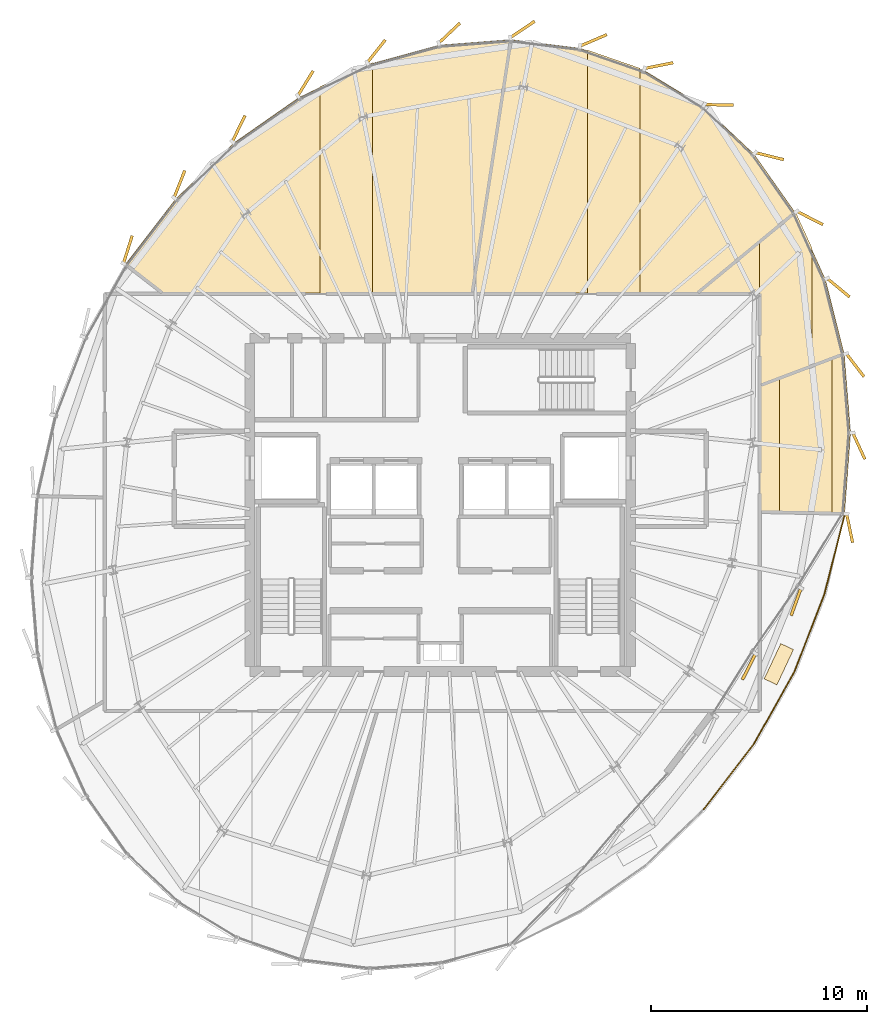
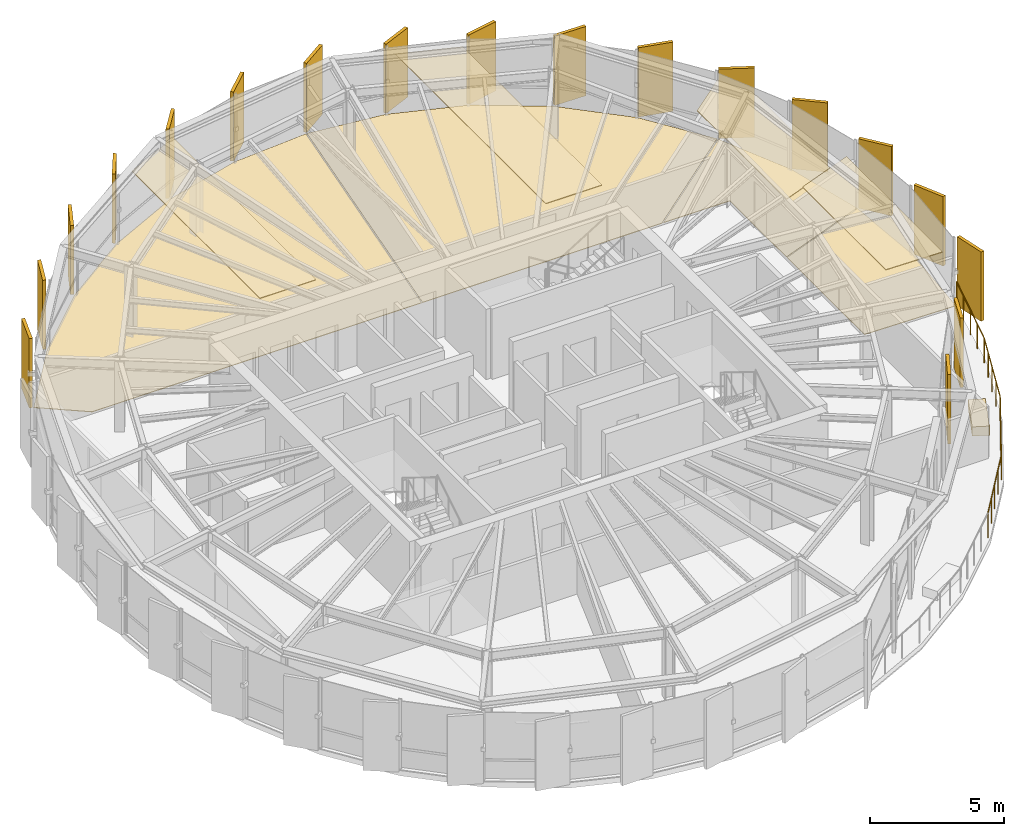
# One storey, part 30 of 30: 27 coverings, 4 railings.
"""IFC4 building model written with IfcOpenShell, lengths in metres."""

from ifc_helpers import new_model, si_unit, direction, frame, origin, origin_2d, place, context, subcontext, project, spatial, polyline, rectangle, circle, outline, extrude, source, transform, mapped, material, layer, layer_set, type_object, element, save


model = new_model("IFC4")

# Units and contexts
model_context = context("Model", 3, precision=1e-05, world=origin(), true_north=direction((0.0, 1.0)))
body_context = subcontext(model_context, "Body", "Model", "MODEL_VIEW")
ifc_project = project(units=[si_unit("LENGTHUNIT", "METRE"), si_unit("AREAUNIT", "SQUARE_METRE"), si_unit("VOLUMEUNIT", "CUBIC_METRE"), si_unit("PLANEANGLEUNIT", "RADIAN"), si_unit("MASSUNIT", "GRAM", prefix="KILO"), si_unit("THERMODYNAMICTEMPERATUREUNIT", "KELVIN")], contexts=[model_context])

# Site, building, storey
site_placement = place(None, origin())
site = spatial("IfcSite", under=ifc_project, at=site_placement, CompositionType="ELEMENT")
building_placement = place(site_placement, origin())
building = spatial("IfcBuilding", under=site, at=building_placement, Name="Kethvar Cultural Tower", CompositionType="ELEMENT")
storey_placement = place(building_placement, frame((0.0, 0.0, 293.949951171875)))
storey = spatial("IfcBuildingStorey", under=building, at=storey_placement, Name="L78", CompositionType="ELEMENT", Elevation=293.949951171875)

# Coverings
ifc_material_1 = material(Name="Acoustic Mineral Fibre Ceiling")
ifc_layer_1 = layer(ifc_material_1, 0.0400390625, Name="Acoustic Mineral Fibre Ceiling")
ifc_layer_set_1 = layer_set([ifc_layer_1], Name="Acoustic Mineral Fibre Ceiling (40 mm)")
covering_type_1 = type_object("IfcCoveringType", Name="CV-ACOUSTIC-CEIL", PredefinedType="CEILING", material=ifc_layer_set_1)
covering_1_placement = place(storey_placement, frame((0.0, 0.0, 2.670166015625)))
element("IfcCovering", 1, at=covering_1_placement, inside=storey, type_object=covering_type_1, Name="L78 Room 03 Acoustic Ceiling Panel", PredefinedType="CEILING", context=body_context, shape_type="SweptSolid", body=[
    extrude(outline(polyline([(62.47021484375, 27.435546875), (62.47021484375, 33.670166015625), (64.900146484375, 34.576904296875), (64.900146484375, 27.382080078125), (62.47021484375, 27.435546875)])), origin(), (0.0, 0.0, 1.0), 0.039794921875),
])
covering_2_placement = place(storey_placement, frame((0.0, 0.0, 2.670166015625)))
element("IfcCovering", 2, at=covering_2_placement, inside=storey, type_object=covering_type_1, Name="L78 Room 04 Acoustic Ceiling Panel", PredefinedType="CEILING", context=body_context, shape_type="SweptSolid", body=[
    extrude(outline(polyline([(61.571044921875, 33.291748046875), (61.55029296875, 39.972900390625), (63.219970703125, 41.338623046875), (63.980224609375, 39.67529296875), (63.980224609375, 34.19091796875), (61.571044921875, 33.291748046875)])), origin(), (0.0, 0.0, 1.0), 0.039794921875),
])
covering_3_placement = place(storey_placement, frame((0.0, 0.0, 2.670166015625)))
element("IfcCovering", 3, at=covering_3_placement, inside=storey, type_object=covering_type_1, Name="L78 Room 05 Acoustic Ceiling Panel", PredefinedType="CEILING", context=body_context, shape_type="SweptSolid", body=[
    extrude(outline(polyline([(56.036376953125, 47.978515625), (56.036376953125, 37.5419921875), (53.6064453125, 37.5419921875), (53.6064453125, 48.820556640625), (56.036376953125, 47.978515625)])), origin(), (0.0, 0.0, 1.0), 0.039794921875),
])
covering_4_placement = place(storey_placement, frame((0.0, 0.0, 2.670166015625)))
element("IfcCovering", 4, at=covering_4_placement, inside=storey, type_object=covering_type_1, Name="L78 Room 06 Acoustic Ceiling Panel", PredefinedType="CEILING", context=body_context, shape_type="SweptSolid", body=[
    extrude(outline(polyline([(41.24609375, 47.134521484375), (43.67626953125, 48.245361328125), (43.67626953125, 37.5419921875), (41.24609375, 37.5419921875), (41.24609375, 47.134521484375)])), origin(), (0.0, 0.0, 1.0), 0.039794921875),
])
ifc_material_2 = material(Name="Architectural Oak Timber", Category="wood")
ifc_layer_2 = layer(ifc_material_2, 0.02490234375, Name="Architectural Oak Timber", Category="wood")
ifc_layer_set_2 = layer_set([ifc_layer_2], Name="Architectural Oak Timber (25 mm)")
covering_type_2 = type_object("IfcCoveringType", Name="CV-OAK-FLOOR", PredefinedType="FLOORING", material=ifc_layer_set_2)
covering_5_placement = place(storey_placement, origin())
element("IfcCovering", 5, at=covering_5_placement, inside=storey, type_object=covering_type_2, Name="L78 Room 03 Floor Finish", PredefinedType="FLOORING", context=body_context, shape_type="SweptSolid", body=[
    extrude(outline(polyline([(65.76318359375, 31.132080078125), (65.484619140625, 27.4091796875), (61.583984375, 27.4951171875), (61.583984375, 33.296630859375), (65.468994140625, 34.74658203125), (65.76318359375, 31.132080078125)])), origin(), (0.0, 0.0, 1.0), 0.025146484375),
])
covering_6_placement = place(storey_placement, origin())
element("IfcCovering", 6, at=covering_6_placement, inside=storey, type_object=covering_type_2, Name="L78 Room 04 Floor Finish", PredefinedType="FLOORING", context=body_context, shape_type="SweptSolid", body=[
    extrude(outline(polyline([(64.603271484375, 38.1982421875), (65.462890625, 34.787109375), (61.583984375, 33.33935546875), (61.58056640625, 37.572998046875), (58.709716796875, 37.58203125), (63.208740234375, 41.286865234375), (64.603271484375, 38.1982421875)])), origin(), (0.0, 0.0, 1.0), 0.025146484375),
])
covering_7_placement = place(storey_placement, origin())
element("IfcCovering", 7, at=covering_7_placement, inside=storey, type_object=covering_type_2, Name="L78 Room 05 Floor Finish", PredefinedType="FLOORING", context=body_context, shape_type="SweptSolid", body=[
    extrude(outline(polyline([(53.243408203125, 48.90380859375), (56.241943359375, 47.864990234375), (58.95361328125, 46.216796875), (61.29638671875, 44.00927734375), (63.189208984375, 41.322509765625), (58.64697265625, 37.58203125), (48.297119140625, 37.58203125), (50.06640625, 49.299560546875), (53.243408203125, 48.90380859375)])), origin(), (0.0, 0.0, 1.0), 0.025146484375),
])
covering_8_placement = place(storey_placement, origin())
element("IfcCovering", 8, at=covering_8_placement, inside=storey, type_object=covering_type_2, Name="L78 Room 06 Floor Finish", PredefinedType="FLOORING", context=body_context, shape_type="SweptSolid", body=[
    extrude(outline(polyline([(34.576171875, 41.935546875), (37.27978515625, 44.535400390625), (40.272705078125, 46.626708984375), (43.4638671875, 48.145751953125), (46.755859375, 49.04638671875), (50.026123046875, 49.300048828125), (48.2568359375, 37.58203125), (34.010498046875, 37.58203125), (32.255615234375, 38.920654296875), (34.576171875, 41.935546875)])), origin(), (0.0, 0.0, 1.0), 0.025146484375),
])

# Railings
ifc_material_3 = material(Name="Steel S355J2", Category="steel")
railing_type = type_object("IfcRailingType", Name="RL-EXT-GUARD-1150", PredefinedType="BALUSTRADE", material=ifc_material_3)
railing_1_placement = place(storey_placement, frame((58.973388671875, 13.7265625, 0.0)))
element("IfcRailing", 9, at=railing_1_placement, inside=storey, type_object=railing_type, Name="L78 Spiralling Terrace Balustrade 04", PredefinedType="BALUSTRADE", context=body_context, shape_type="SweptSolid", body=[
    extrude(circle(Radius=0.02392578125, at=origin_2d()), frame((0.0, 0.0, 1.1259765625), z_axis=(0.609543339949, 0.792752746273, 0.0), x_axis=(-0.792752746273, 0.609543339949, 0.0)), (0.0, 0.0, 1.0), 3.805908203125),
    extrude(circle(Radius=0.02099609375, at=origin_2d()), origin(), (0.0, 0.0, 1.0), 1.101806640625),
    extrude(circle(Radius=0.02099609375, at=origin_2d()), frame((0.580078125, 0.75439453125, 0.0)), (0.0, 0.0, 1.0), 1.101806640625),
    extrude(circle(Radius=0.02099609375, at=origin_2d()), frame((1.159912109375, 1.508544921875, 0.0)), (0.0, 0.0, 1.0), 1.101806640625),
    extrude(circle(Radius=0.02099609375, at=origin_2d()), frame((1.73974609375, 2.2626953125, 0.0)), (0.0, 0.0, 1.0), 1.101806640625),
    extrude(circle(Radius=0.02099609375, at=origin_2d()), frame((2.31982421875, 3.01708984375, 0.0)), (0.0, 0.0, 1.0), 1.101806640625),
])
railing_2_placement = place(storey_placement, frame((61.293212890625, 16.74365234375, 0.0)))
element("IfcRailing", 10, at=railing_2_placement, inside=storey, type_object=railing_type, Name="L78 Spiralling Terrace Balustrade 05", PredefinedType="BALUSTRADE", context=body_context, shape_type="SweptSolid", body=[
    extrude(circle(Radius=0.02392578125, at=origin_2d()), frame((0.0, 0.0, 1.1259765625), z_axis=(0.489247438426, 0.872145024634, 0.0), x_axis=(-0.872145024634, 0.489247438426, 0.0)), (0.0, 0.0, 1.0), 3.843017578125),
    extrude(circle(Radius=0.02099609375, at=origin_2d()), origin(), (0.0, 0.0, 1.0), 1.101806640625),
    extrude(circle(Radius=0.02099609375, at=origin_2d()), frame((0.469970703125, 0.837890625, 0.0)), (0.0, 0.0, 1.0), 1.101806640625),
    extrude(circle(Radius=0.02099609375, at=origin_2d()), frame((0.93994140625, 1.67578125, 0.0)), (0.0, 0.0, 1.0), 1.101806640625),
    extrude(circle(Radius=0.02099609375, at=origin_2d()), frame((1.41015625, 2.513671875, 0.0)), (0.0, 0.0, 1.0), 1.101806640625),
    extrude(circle(Radius=0.02099609375, at=origin_2d()), frame((1.880126953125, 3.3515625, 0.0)), (0.0, 0.0, 1.0), 1.101806640625),
])
railing_3_placement = place(storey_placement, frame((63.17333984375, 20.09521484375, 0.0)))
element("IfcRailing", 11, at=railing_3_placement, inside=storey, type_object=railing_type, Name="L78 Spiralling Terrace Balustrade 06", PredefinedType="BALUSTRADE", context=body_context, shape_type="SweptSolid", body=[
    extrude(circle(Radius=0.02392578125, at=origin_2d()), frame((0.0, 0.0, 1.1259765625), z_axis=(0.360136704132, 0.932899541396, 0.0), x_axis=(-0.932899541396, 0.360136704132, 0.0)), (0.0, 0.0, 1.0), 3.843017578125),
    extrude(circle(Radius=0.02099609375, at=origin_2d()), origin(), (0.0, 0.0, 1.0), 1.101806640625),
    extrude(circle(Radius=0.02099609375, at=origin_2d()), frame((0.345947265625, 0.896240234375, 0.0)), (0.0, 0.0, 1.0), 1.101806640625),
    extrude(circle(Radius=0.02099609375, at=origin_2d()), frame((0.69189453125, 1.79248046875, 0.0)), (0.0, 0.0, 1.0), 1.101806640625),
    extrude(circle(Radius=0.02099609375, at=origin_2d()), frame((1.0380859375, 2.68896484375, 0.0)), (0.0, 0.0, 1.0), 1.101806640625),
    extrude(circle(Radius=0.02099609375, at=origin_2d()), frame((1.384033203125, 3.585205078125, 0.0)), (0.0, 0.0, 1.0), 1.101806640625),
])
railing_4_placement = place(storey_placement, frame((64.557373046875, 23.680419921875, 0.0)))
element("IfcRailing", 12, at=railing_4_placement, inside=storey, type_object=railing_type, Name="L78 Spiralling Terrace Balustrade 07", PredefinedType="BALUSTRADE", context=body_context, shape_type="SweptSolid", body=[
    extrude(circle(Radius=0.02392578125, at=origin_2d()), frame((0.0, 0.0, 1.1259765625), z_axis=(0.247125849981, 0.968983392155, 0.0), x_axis=(-0.968983392155, 0.247125849981, 0.0)), (0.0, 0.0, 1.0), 3.8271484375),
    extrude(circle(Radius=0.02099609375, at=origin_2d()), origin(), (0.0, 0.0, 1.0), 1.101806640625),
    extrude(circle(Radius=0.02099609375, at=origin_2d()), frame((0.236328125, 0.92724609375, 0.0)), (0.0, 0.0, 1.0), 1.101806640625),
    extrude(circle(Radius=0.02099609375, at=origin_2d()), frame((0.472900390625, 1.854248046875, 0.0)), (0.0, 0.0, 1.0), 1.101806640625),
    extrude(circle(Radius=0.02099609375, at=origin_2d()), frame((0.70947265625, 2.78125, 0.0)), (0.0, 0.0, 1.0), 1.101806640625),
    extrude(circle(Radius=0.02099609375, at=origin_2d()), frame((0.94580078125, 3.70849609375, 0.0)), (0.0, 0.0, 1.0), 1.101806640625),
])

# Coverings
ifc_material_4 = material(Name="Extruded Architectural Terracotta", Category="masonry")
ifc_layer_3 = layer(ifc_material_4, 0.419921875, Name="Extruded Architectural Terracotta", Category="masonry")
ifc_layer_set_3 = layer_set([ifc_layer_3], Name="Extruded Architectural Terracotta (420 mm)")
covering_type_3 = type_object("IfcCoveringType", Name="Terracotta Terrace Planter PLANTER-01", PredefinedType="USERDEFINED", material=ifc_layer_set_3)
shared_shape_1 = source(origin(), body_context, "Body", "SweptSolid", [
    extrude(rectangle(XDim=1.800048828125, YDim=0.64990234375, at=origin_2d()), origin(), (0.0, 0.0, 1.0), 0.419921875),
])
covering_9_placement = place(storey_placement, frame((62.449462890625, 20.435791015625, 0.0), z_axis=(0.0, 0.0, 1.0), x_axis=(0.425779291565, 0.904827052466, 0.0)))
element("IfcCovering", 13, at=covering_9_placement, inside=storey, type_object=covering_type_3, Name="L78 Sky Terrace Planter Box B", ObjectType="PLANTER", PredefinedType="USERDEFINED", context=body_context, shape_type="MappedRepresentation", body=[
    mapped(shared_shape_1, transform((0.0, 0.0, 0.0), scale=1.0)),
])
ifc_layer_4 = layer(ifc_material_4, 0.135009765625, Name="Extruded Architectural Terracotta", Category="masonry")
ifc_layer_set_4 = layer_set([ifc_layer_4], Name="Extruded Architectural Terracotta (135 mm)")
covering_type_4 = type_object("IfcCoveringType", Name="Terracotta Facade Fin FIN-03", PredefinedType="CLADDING", material=ifc_layer_set_4)
shared_shape_2 = source(origin(), body_context, "Body", "SweptSolid", [
    extrude(rectangle(XDim=1.35009765625, YDim=0.135009765625, at=origin_2d()), origin(), (0.0, 0.0, 1.0), 3.169921875),
])
for number, where, z_axis, x_axis, name in (
    (14, (56.904541015625, 48.10400390625, 0.02001953125), (0.0, 0.0, 1.0), (0.980305657405, 0.197486247774, 0.0), "L78 Vertical Terracotta Fin 1.1"),
    (15, (53.87841796875, 49.268310546875, 0.02001953125), (0.0, 0.0, 1.0), (0.919547370211, 0.392979177488, 0.0), "L78 Vertical Terracotta Fin 1.2"),
    (16, (50.60400390625, 49.777587890625, 0.02001953125), (0.0, 0.0, 1.0), (0.830401462336, 0.557165515219, 0.0), "L78 Vertical Terracotta Fin 1.3"),
    (17, (47.22216796875, 49.606689453125, 0.02001953125), (0.0, 0.0, 1.0), (0.727173991201, 0.686453193248, 0.0), "L78 Vertical Terracotta Fin 1.4"),
    (18, (43.8427734375, 48.764892578125, 0.02001953125), (0.0, 0.0, 1.0), (0.622787780488, 0.782390810577, 0.0), "L78 Vertical Terracotta Fin 1.5"),
    (19, (40.572021484375, 47.28369140625, 0.02001953125), (0.0, 0.0, 1.0), (0.525917062677, 0.850535856496, 0.0), "L78 Vertical Terracotta Fin 1.6"),
    (20, (37.484130859375, 45.189453125, 0.02001953125), (0.0, 0.0, 1.0), (0.441662447194, 0.897181298701, 0.0), "L78 Vertical Terracotta Fin 2.1"),
    (21, (34.74609375, 42.62548828125, 0.02001953125), (0.0, 0.0, 1.0), (0.367962270469, 0.929840721582, 0.0), "L78 Vertical Terracotta Fin 2.2"),
    (22, (32.361083984375, 39.599853515625, 0.02001953125), (0.0, 0.0, 1.0), (0.301371546207, 0.953506786099, 0.0), "L78 Vertical Terracotta Fin 2.3"),
    (23, (61.0693359375, 20.324951171875, 0.02001953125), (0.0, 0.0, 1.0), (-0.450410122064, -0.892821775016, 0.0), "L78 Vertical Terracotta Fin 6.2"),
    (24, (63.24609375, 23.31982421875, 0.02001953125), (0.0, 0.0, 1.0), (-0.339887169865, -0.940466220425, 0.0), "L78 Vertical Terracotta Fin 6.3"),
    (25, (65.719970703125, 26.721923828125, 0.02001953125), (0.0, 0.0, 1.0), (0.202787295357, -0.979222810622, 0.0), "L78 Vertical Terracotta Fin 6.4"),
    (26, (66.143798828125, 30.52490234375, 0.02001953125), (0.0, 0.0, 1.0), (0.416122094283, -0.909308749903, 0.0), "L78 Vertical Terracotta Fin 6.5"),
    (27, (65.974853515625, 34.25830078125, 0.02001953125), (0.0, 0.0, 1.0), (0.608207415585, -0.793778142573, 0.0), "L78 Vertical Terracotta Fin 6.6"),
    (28, (65.199951171875, 37.839599609375, 0.02001953125), (0.0, 0.0, 1.0), (0.769845311576, -0.638230519675, 0.0), "L78 Vertical Terracotta Fin 7.1"),
    (29, (63.88427734375, 41.060791015625, 0.02001953125), (0.0, 0.0, 1.0), (0.892585818452, -0.450877540689, 0.0), "L78 Vertical Terracotta Fin 7.2"),
    (30, (62.021484375, 43.918701171875, 0.02001953125), (0.0, 0.0, 1.0), (0.970800277843, -0.239889183874, 0.0), "L78 Vertical Terracotta Fin 7.3"),
    (31, (59.682373046875, 46.288818359375, 0.02001953125), (0.0, 0.0, 1.0), (0.999828870815, -0.018499434735, 0.0), "L78 Vertical Terracotta Fin 7.4"),
):
    element("IfcCovering", number, at=place(storey_placement, frame(where, z_axis=z_axis, x_axis=x_axis)), inside=storey, type_object=covering_type_4, Name=name, PredefinedType="CLADDING", context=body_context, shape_type="MappedRepresentation", body=[
        mapped(shared_shape_2, transform((0.0, 0.0, 0.0), scale=1.0)),
    ])

save(model, "model.ifc")
